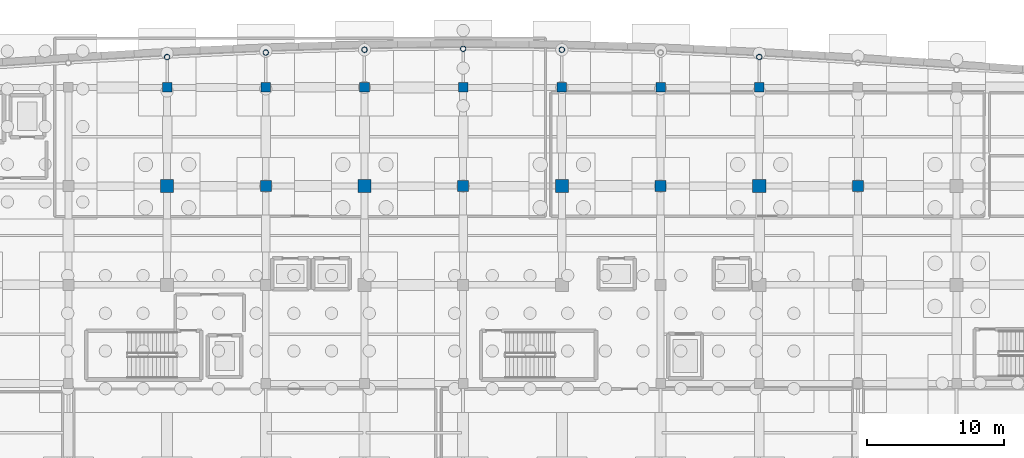
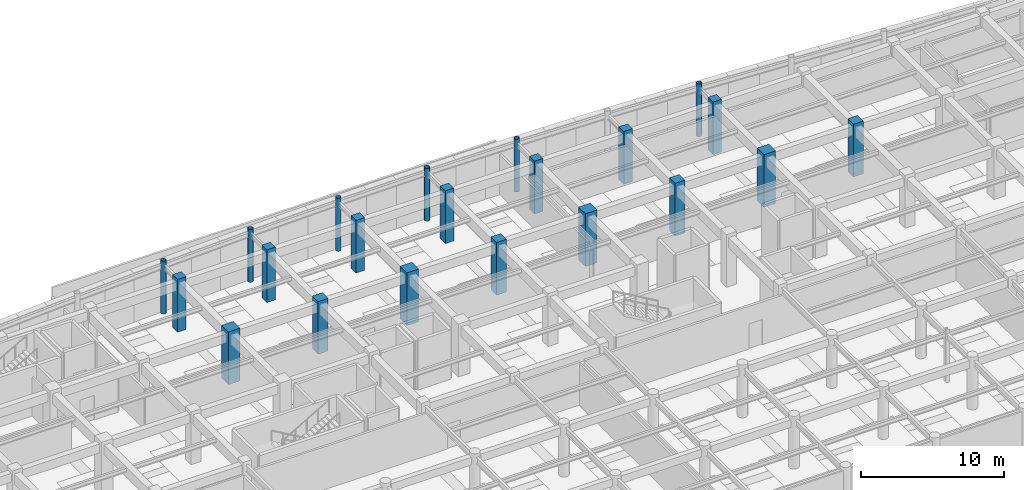
# One storey, part 22 of 48: 21 columns.
"""IFC4 building model written with IfcOpenShell, lengths in metres."""

from ifc_helpers import new_model, si_unit, direction, frame, origin, origin_2d, place, context, subcontext, project, spatial, rectangle, hollow_circle, extrude, material, material_profile, profile_set, type_object, element, save


model = new_model("IFC4")

# Units and contexts
model_context = context("Model", 3, precision=1e-05, world=origin(), true_north=direction((0.0, 1.0)))
body_context = subcontext(model_context, "Body", "Model", "MODEL_VIEW")
ifc_project = project(units=[si_unit("LENGTHUNIT", "METRE"), si_unit("AREAUNIT", "SQUARE_METRE"), si_unit("VOLUMEUNIT", "CUBIC_METRE"), si_unit("PLANEANGLEUNIT", "RADIAN"), si_unit("MASSUNIT", "GRAM", prefix="KILO")], contexts=[model_context])

# Site, building, storey
site_placement = place(None, origin())
site = spatial("IfcSite", under=ifc_project, at=site_placement, CompositionType="ELEMENT")
building_placement = place(site_placement, origin())
building = spatial("IfcBuilding", under=site, at=building_placement, Name="Carrowvane Square Congress Hotel", CompositionType="ELEMENT")
storey_placement = place(building_placement, frame((0.0, 0.0, -4.5)))
storey = spatial("IfcBuildingStorey", under=building, at=storey_placement, Name="B01", CompositionType="ELEMENT", Elevation=-4.5)

# Columns
ifc_material_1 = material(Name="Concrete C40/50", Category="concrete")
ifc_material_profile_1 = material_profile(ifc_material_1, rectangle(XDim=0.699951171875, YDim=0.699951171875, at=origin_2d()), Name="RC 700x700")
ifc_profile_set_1 = profile_set([ifc_material_profile_1], Name="Concrete C40/50")
column_type_1 = type_object("IfcColumnType", Name="COL-RC-700", PredefinedType="COLUMN", material=ifc_profile_set_1)
for number, where, z_axis, x_axis, name in (
    (1, (76.39990234375, 113.39990234375, 0.0), (0.0, 0.0, 1.0), (1.0, 0.0, 0.0), "B01 column 10/R"),
    (2, (83.60009765625, 113.39990234375, 0.0), (0.0, 0.0, 1.0), (1.0, 0.0, 0.0), "B01 column 11/R"),
    (3, (90.800048828125, 113.39990234375, 0.0), (0.0, 0.0, 1.0), (1.0, 0.0, 0.0), "B01 column 12/R"),
    (4, (98.0, 113.39990234375, 0.0), (0.0, 0.0, 1.0), (1.0, 0.0, 0.0), "B01 column 13/R"),
    (5, (105.199951171875, 113.39990234375, 0.0), (0.0, 0.0, 1.0), (1.0, 0.0, 0.0), "B01 column 14/R"),
    (6, (112.39990234375, 113.39990234375, 0.0), (0.0, 0.0, 1.0), (1.0, 0.0, 0.0), "B01 column 15/R"),
    (7, (119.60009765625, 113.39990234375, 0.0), (0.0, 0.0, 1.0), (1.0, 0.0, 0.0), "B01 column 16/R"),
):
    element("IfcColumn", number, at=place(storey_placement, frame(where, z_axis=z_axis, x_axis=x_axis)), inside=storey, type_object=column_type_1, Name=name, PredefinedType="COLUMN", context=body_context, shape_type="SweptSolid", body=[
        extrude(rectangle(XDim=0.699951171875, YDim=0.699951171875, at=origin_2d()), origin(), (0.0, 0.0, 1.0), 4.5),
    ])
ifc_material_2 = material(Name="Concrete C40/50", Category="concrete")
ifc_material_profile_2 = material_profile(ifc_material_2, rectangle(XDim=0.800048828125, YDim=0.800048828125, at=origin_2d()), Name="RC 800x800")
ifc_profile_set_2 = profile_set([ifc_material_profile_2], Name="Concrete C40/50")
column_type_2 = type_object("IfcColumnType", Name="COL-RC-800", PredefinedType="COLUMN", material=ifc_profile_set_2)
for number, where, z_axis, x_axis, name in (
    (8, (83.60009765625, 106.199951171875, 0.0), (0.0, 0.0, 1.0), (1.0, 0.0, 0.0), "B01 column 11/Q"),
    (9, (98.0, 106.199951171875, 0.0), (0.0, 0.0, 1.0), (1.0, 0.0, 0.0), "B01 column 13/Q"),
    (10, (112.39990234375, 106.199951171875, 0.0), (0.0, 0.0, 1.0), (1.0, 0.0, 0.0), "B01 column 15/Q"),
    (11, (126.800048828125, 106.199951171875, 0.0), (0.0, 0.0, 1.0), (1.0, 0.0, 0.0), "B01 column 17/Q"),
):
    element("IfcColumn", number, at=place(storey_placement, frame(where, z_axis=z_axis, x_axis=x_axis)), inside=storey, type_object=column_type_2, Name=name, PredefinedType="COLUMN", context=body_context, shape_type="SweptSolid", body=[
        extrude(rectangle(XDim=0.800048828125, YDim=0.800048828125, at=origin_2d()), origin(), (0.0, 0.0, 1.0), 4.5),
    ])
ifc_material_3 = material(Name="Steel S355", Category="steel")
ifc_material_profile_3 = material_profile(ifc_material_3, hollow_circle(Radius=0.203125, WallThickness=0.02001953125, at=origin_2d()), Name="CHS 406.4x20")
ifc_profile_set_3 = profile_set([ifc_material_profile_3], Name="Steel S355")
column_type_3 = type_object("IfcColumnType", Name="COL-ST-CHS406", PredefinedType="COLUMN", material=ifc_profile_set_3)
for number, where, z_axis, x_axis, name in (
    (12, (76.39990234375, 115.61767578125, 0.0), (0.0, 0.0, 1.0), (1.0, 0.0, 0.0), "B01 column 10/ARC"),
    (13, (83.60009765625, 115.944091796875, 0.0), (0.0, 0.0, 1.0), (1.0, 0.0, 0.0), "B01 column 11/ARC"),
    (14, (90.800048828125, 116.14990234375, 0.0), (0.0, 0.0, 1.0), (1.0, 0.0, 0.0), "B01 column 12/ARC"),
    (15, (98.0, 116.219970703125, 0.0), (0.0, 0.0, 1.0), (1.0, 0.0, 0.0), "B01 column 13/ARC"),
    (16, (105.199951171875, 116.14990234375, 0.0), (0.0, 0.0, 1.0), (1.0, 0.0, 0.0), "B01 column 14/ARC"),
    (17, (119.60009765625, 115.61767578125, 0.0), (0.0, 0.0, 1.0), (1.0, 0.0, 0.0), "B01 column 16/ARC"),
):
    element("IfcColumn", number, at=place(storey_placement, frame(where, z_axis=z_axis, x_axis=x_axis)), inside=storey, type_object=column_type_3, Name=name, PredefinedType="COLUMN", context=body_context, shape_type="SweptSolid", body=[
        extrude(hollow_circle(Radius=0.203125, WallThickness=0.02001953125, at=origin_2d()), origin(), (0.0, 0.0, 1.0), 4.5),
    ])
ifc_material_4 = material(Name="Concrete C40/50", Category="concrete")
ifc_material_profile_4 = material_profile(ifc_material_4, rectangle(XDim=0.949951171875, YDim=0.949951171875, at=origin_2d()), Name="RC 950x950")
ifc_profile_set_4 = profile_set([ifc_material_profile_4], Name="Concrete C40/50")
column_type_4 = type_object("IfcColumnType", Name="MCOL-RC-1000", PredefinedType="COLUMN", material=ifc_profile_set_4)
for number, where, z_axis, x_axis, name in (
    (18, (76.39990234375, 106.199951171875, 0.0), (0.0, 0.0, 1.0), (1.0, 0.0, 0.0), "B01 column 10/Q"),
    (19, (90.800048828125, 106.199951171875, 0.0), (0.0, 0.0, 1.0), (1.0, 0.0, 0.0), "B01 column 12/Q"),
    (20, (105.199951171875, 106.199951171875, 0.0), (0.0, 0.0, 1.0), (1.0, 0.0, 0.0), "B01 column 14/Q"),
    (21, (119.60009765625, 106.199951171875, 0.0), (0.0, 0.0, 1.0), (1.0, 0.0, 0.0), "B01 column 16/Q"),
):
    element("IfcColumn", number, at=place(storey_placement, frame(where, z_axis=z_axis, x_axis=x_axis)), inside=storey, type_object=column_type_4, Name=name, PredefinedType="COLUMN", context=body_context, shape_type="SweptSolid", body=[
        extrude(rectangle(XDim=0.949951171875, YDim=0.949951171875, at=origin_2d()), origin(), (0.0, 0.0, 1.0), 4.5),
    ])

save(model, "model.ifc")
